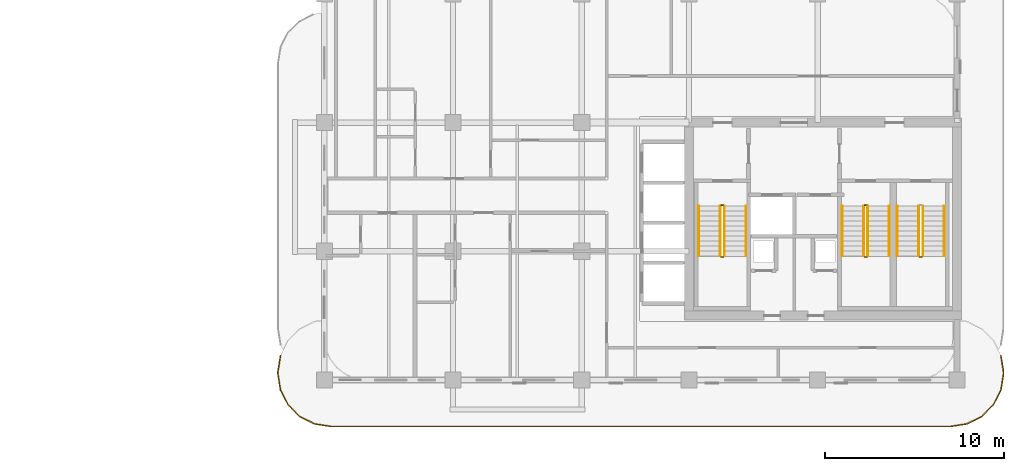
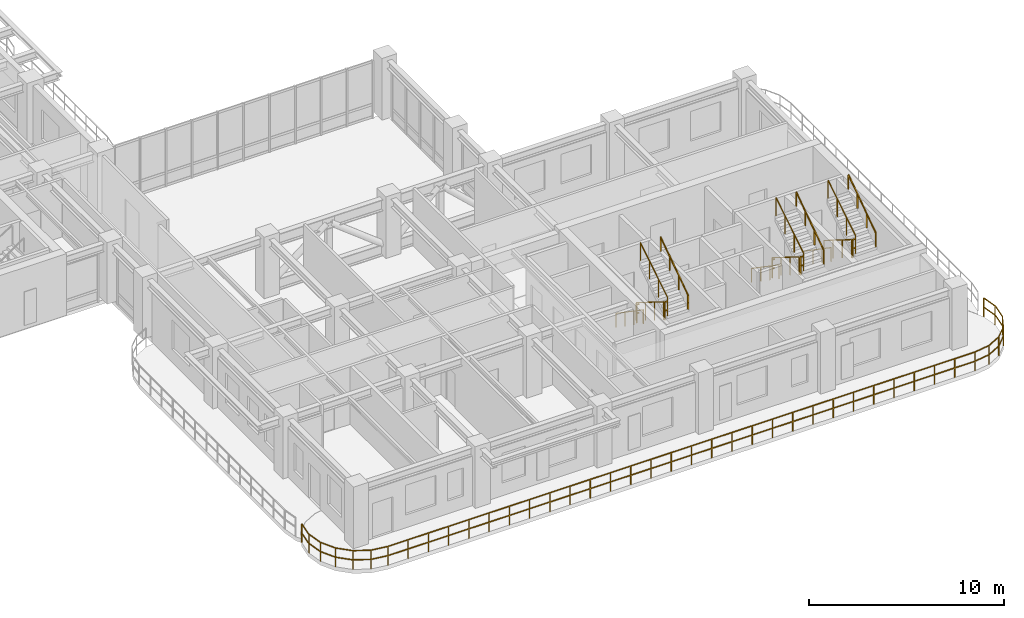
# One storey, part 16 of 19: 18 railings.
"""IFC4 building model written with IfcOpenShell, lengths in metres."""

import ifcopenshell
import ifcopenshell.guid

model = None  # the IFC model being written
_history = None  # IfcOwnerHistory: only IFC2X3 demands one
_inside = {}  # id of a spatial element -> (the spatial element, [elements in it])
_under = {}  # id of a project, library or spatial element -> (it, [spatial elements below it])
_declared = {}  # id of a project -> (the project, [libraries it declares])
_typed = {}  # id of a type object -> (the type object, [elements of that type])
_made_of = {}  # id of a material, layer set ... -> (it, [elements and type objects made of it])


def new_model(schema):
    """Start an empty IFC model of exactly this schema.

    Asked for "IFC4X3", IfcOpenShell would pick the latest addendum, in which some entities
    have other attributes; the version numbers below select the first issue.
    IFC2X3 requires an IfcOwnerHistory on every rooted entity: one is made here for all.
    """
    global model, _history
    if schema == "IFC4X3":
        model = ifcopenshell.file(schema_version=(4, 3, 0, 0))
    else:
        model = ifcopenshell.file(schema=schema)
    _inside.clear()
    _under.clear()
    _declared.clear()
    _typed.clear()
    _made_of.clear()
    _history = None
    if model.schema == "IFC2X3":
        org = make("IfcOrganization", Name="unknown")
        user = make(
            "IfcPersonAndOrganization",
            ThePerson=make("IfcPerson", FamilyName="unknown"),
            TheOrganization=org,
        )
        app = make(
            "IfcApplication",
            ApplicationDeveloper=org,
            Version="unknown",
            ApplicationFullName="unknown",
            ApplicationIdentifier="unknown",
        )
        _history = make(
            "IfcOwnerHistory",
            OwningUser=user,
            OwningApplication=app,
            ChangeAction="ADDED",
            CreationDate=0,
        )
    return model


def make(cls, **values):
    """One entity of the class cls with the attributes given. An attribute that is None is left unset."""
    return model.create_entity(
        cls, **{name: value for name, value in values.items() if value is not None}
    )


def rooted(cls, **values):
    """An entity with a GlobalId (a new one), such as an element, a storey or a relation."""
    return make(cls, GlobalId=ifcopenshell.guid.new(), OwnerHistory=_history, **values)


def si_unit(unit_type, name, prefix=None):
    """IfcSIUnit, for example si_unit("LENGTHUNIT", "METRE", prefix="MILLI")."""
    return make("IfcSIUnit", UnitType=unit_type, Prefix=prefix, Name=name)


def derived_unit(unit_type, elements):
    """IfcDerivedUnit: a product of units, each with its exponent."""
    return make(
        "IfcDerivedUnit",
        Elements=[
            make("IfcDerivedUnitElement", Unit=unit, Exponent=power)
            for unit, power in elements
        ],
        UnitType=unit_type,
    )


def assignment(units):
    """IfcUnitAssignment: the units of a project."""
    return None if units is None else make("IfcUnitAssignment", Units=units)


def point(xyz):
    """IfcCartesianPoint."""
    return None if xyz is None else make("IfcCartesianPoint", Coordinates=xyz)


def direction(xyz):
    """IfcDirection."""
    return None if xyz is None else make("IfcDirection", DirectionRatios=xyz)


def frame(location, z_axis=None, x_axis=None):
    """IfcAxis2Placement3D, a coordinate frame: its origin and axes. An axis left out is left unset."""
    return make(
        "IfcAxis2Placement3D",
        Location=point(location),
        Axis=direction(z_axis),
        RefDirection=direction(x_axis),
    )


def frame_2d(location, x_axis=None):
    """IfcAxis2Placement2D, a coordinate frame in the plane: its origin and x axis."""
    return make(
        "IfcAxis2Placement2D", Location=point(location), RefDirection=direction(x_axis)
    )


def origin():
    """The frame at (0, 0, 0) with its axes left unset."""
    return frame((0.0, 0.0, 0.0))


def origin_2d():
    """The frame at (0, 0) in the plane with its x axis left unset."""
    return frame_2d((0.0, 0.0))


def place(relative_to, where):
    """IfcLocalPlacement: puts the frame where relative to a parent placement (None: the world)."""
    return make(
        "IfcLocalPlacement", PlacementRelTo=relative_to, RelativePlacement=where
    )


def context(
    kind, dimensions, precision=None, world=None, true_north=None, identifier=None
):
    """IfcGeometricRepresentationContext, for example the 3D "Model" context."""
    return make(
        "IfcGeometricRepresentationContext",
        ContextIdentifier=identifier,
        ContextType=kind,
        CoordinateSpaceDimension=dimensions,
        Precision=precision,
        WorldCoordinateSystem=world,
        TrueNorth=true_north,
    )


def subcontext(parent, identifier, kind, view, scale=None):
    """IfcGeometricRepresentationSubContext, for example "Body" below "Model"."""
    return make(
        "IfcGeometricRepresentationSubContext",
        ContextIdentifier=identifier,
        ContextType=kind,
        ParentContext=parent,
        TargetScale=scale,
        TargetView=view,
    )


def project(units=None, contexts=None):
    """IfcProject with its units and contexts."""
    return rooted(
        "IfcProject",
        Name="project",
        RepresentationContexts=contexts,
        UnitsInContext=assignment(units),
    )


def spatial(cls, under=None, at=None, **own):
    """A site, building, storey or space (cls), placed at a placement, below another one or the project."""
    s = rooted(cls, ObjectPlacement=at, **own)
    if under is not None:
        _under.setdefault(under.id(), (under, []))[1].append(s)
    return s


def profile(cls, at=None, kind="AREA", **sizes):
    """A parametric profile (cls). Its sizes go by their IFC names, for example OverallWidth=200.0."""
    return make(cls, ProfileType=kind, Position=at, **sizes)


def rectangle(**sizes):
    """IfcRectangleProfileDef."""
    return profile("IfcRectangleProfileDef", **sizes)


def extrude(swept, where, along, depth):
    """IfcExtrudedAreaSolid: the profile swept, set in the frame where, extruded along a direction by depth."""
    return make(
        "IfcExtrudedAreaSolid",
        SweptArea=swept,
        Position=where,
        ExtrudedDirection=direction(along),
        Depth=depth,
    )


def shape(context_of_items, identifier, shape_type, items):
    """IfcShapeRepresentation: the items that make up one representation, for example the "Body"."""
    return make(
        "IfcShapeRepresentation",
        ContextOfItems=context_of_items,
        RepresentationIdentifier=identifier,
        RepresentationType=shape_type,
        Items=items,
    )


def material(Name=None, Category=None):
    """IfcMaterial."""
    return make("IfcMaterial", Name=Name, Category=Category)


def made_of(thing, what):
    """Note that an element or type object is made of a material, layer set ...; save() writes the relation."""
    if what is not None:
        _made_of.setdefault(what.id(), (what, []))[1].append(thing)
    return thing


def type_object(cls, material=None, **own):
    """A type object (cls), such as IfcWallType, which elements share."""
    return made_of(rooted(cls, **own), material)


def element(
    cls,
    number,
    at=None,
    inside=None,
    cuts=None,
    type_object=None,
    material=None,
    context=None,
    identifier="Body",
    shape_type=None,
    held_by="IfcProductDefinitionShape",
    body=None,
    shapes=None,
    **own,
):
    """One element of the class cls, such as IfcWall. Its Tag is "e" and its number.

    at: its placement. inside: the storey or other place that contains it. cuts: it is an
    opening in that element (IfcRelVoidsElement). A single representation is given by context,
    identifier, shape_type and body (its items); several are given by shapes. held_by: the class
    of the entity that holds the representations. save() writes the other relations.
    """
    e = rooted(cls, Tag="e%d" % number, ObjectPlacement=at, **own)
    if body is not None:
        shapes = [shape(context, identifier, shape_type, body)]
    if shapes is not None:
        e.Representation = make(held_by, Representations=shapes)
    if inside is not None:
        _inside.setdefault(inside.id(), (inside, []))[1].append(e)
    if cuts is not None:
        rooted(
            "IfcRelVoidsElement", RelatingBuildingElement=cuts, RelatedOpeningElement=e
        )
    if type_object is not None:
        _typed.setdefault(type_object.id(), (type_object, []))[1].append(e)
    return made_of(e, material)


def aggregate(whole, parts):
    """IfcRelAggregates: a whole, such as a stair, and the parts it consists of."""
    return rooted("IfcRelAggregates", RelatingObject=whole, RelatedObjects=parts)


def save(model, path):
    """Write the relations noted so far, then the file.

    IfcRelAggregates (storeys below a building ...), IfcRelContainedInSpatialStructure (elements
    in a storey), IfcRelDefinesByType, IfcRelAssociatesMaterial and IfcRelDeclares: one each for
    every whole, place, type object, material and project.
    """
    for whole, parts in _under.values():
        aggregate(whole, parts)
    for where, things in _inside.values():
        rooted(
            "IfcRelContainedInSpatialStructure",
            RelatedElements=things,
            RelatingStructure=where,
        )
    for kind, things in _typed.values():
        rooted("IfcRelDefinesByType", RelatedObjects=things, RelatingType=kind)
    for what, things in _made_of.values():
        rooted("IfcRelAssociatesMaterial", RelatedObjects=things, RelatingMaterial=what)
    for by, libraries in _declared.values():
        rooted("IfcRelDeclares", RelatingContext=by, RelatedDefinitions=libraries)
    model.write(path)


model = new_model("IFC4")

# Units and contexts
model_context = context("Model", 3, precision=1e-05, world=origin(), true_north=direction((0.0, 1.0)))
body_context = subcontext(model_context, "Body", "Model", "MODEL_VIEW")
ifc_project = project(units=[si_unit("LENGTHUNIT", "METRE"), si_unit("AREAUNIT", "SQUARE_METRE"), si_unit("VOLUMEUNIT", "CUBIC_METRE"), si_unit("PLANEANGLEUNIT", "RADIAN"), si_unit("MASSUNIT", "GRAM", prefix="KILO"), si_unit("THERMODYNAMICTEMPERATUREUNIT", "KELVIN"), si_unit("POWERUNIT", "WATT"), derived_unit("THERMALTRANSMITTANCEUNIT", [(si_unit("POWERUNIT", "WATT"), 1), (si_unit("AREAUNIT", "SQUARE_METRE"), -1), (si_unit("THERMODYNAMICTEMPERATUREUNIT", "KELVIN"), -1)])], contexts=[model_context])

# Site, building, storey
site_placement = place(None, origin())
site = spatial("IfcSite", under=ifc_project, at=site_placement, CompositionType="ELEMENT")
building_placement = place(site_placement, origin())
building = spatial("IfcBuilding", under=site, at=building_placement, Name="Zahravan Archway Hotel and Residences", CompositionType="ELEMENT")
storey_placement = place(building_placement, frame((0.0, 0.0, 201.89990234375)))
storey = spatial("IfcBuildingStorey", under=building, at=storey_placement, Name="L50", CompositionType="ELEMENT", Elevation=201.89990234375)

# Railings
ifc_material_1 = material(Name="Bronze & Laminated Glass Balustrade", Category="glass")
railing_type_1 = type_object("IfcRailingType", Name="RL-BAL-1200", PredefinedType="BALUSTRADE", material=ifc_material_1)
railing_1_placement = place(storey_placement, frame((52.255615234375, 1.361572265625, 0.0)))
element("IfcRailing", 1, at=railing_1_placement, inside=storey, type_object=railing_type_1, Name="L50 Balustrade RL-SLB-BAL-L50-SA-1", PredefinedType="BALUSTRADE", context=body_context, shape_type="SweptSolid", body=[
    extrude(rectangle(XDim=0.048095703125, YDim=0.048095703125, at=origin_2d()), frame((0.0, 0.0, 1.17578125), z_axis=(0.156329311416, -0.987704989555, 0.0), x_axis=(0.987704989555, 0.156329311416, 0.0)), (0.0, 0.0, 1.0), 0.9228515625),
    extrude(rectangle(XDim=0.048095703125, YDim=0.048095703125, at=origin_2d()), frame((0.0, 0.0, 0.60009765625), z_axis=(0.156329311416, -0.987704989555, 0.0), x_axis=(0.987704989555, 0.156329311416, 0.0)), (0.0, 0.0, 1.0), 0.9228515625),
    extrude(rectangle(XDim=0.048095703125, YDim=0.048095703125, at=origin_2d()), frame((0.144287109375, -0.91162109375, 1.17578125), z_axis=(0.0, -1.0, 0.0), x_axis=(1.0, 0.0, 0.0)), (0.0, 0.0, 1.0), 0.099853515625),
    extrude(rectangle(XDim=0.048095703125, YDim=0.048095703125, at=origin_2d()), frame((0.144287109375, -0.91162109375, 0.60009765625), z_axis=(0.0, -1.0, 0.0), x_axis=(1.0, 0.0, 0.0)), (0.0, 0.0, 1.0), 0.099853515625),
    extrude(rectangle(XDim=0.048095703125, YDim=0.048095703125, at=origin_2d()), frame((0.144287109375, -1.011474609375, 1.17578125), z_axis=(-0.156329311416, -0.987704989555, 0.0), x_axis=(0.987704989555, -0.156329311416, 0.0)), (0.0, 0.0, 1.0), 0.9228515625),
    extrude(rectangle(XDim=0.048095703125, YDim=0.048095703125, at=origin_2d()), frame((0.144287109375, -1.011474609375, 0.60009765625), z_axis=(-0.156329311416, -0.987704989555, 0.0), x_axis=(0.987704989555, -0.156329311416, 0.0)), (0.0, 0.0, 1.0), 0.9228515625),
    extrude(rectangle(XDim=0.048095703125, YDim=0.048095703125, at=origin_2d()), frame((0.0, -1.923095703125, 1.17578125), z_axis=(-0.453866348456, -0.891069771532, 0.0), x_axis=(0.891069771532, -0.453866348456, 0.0)), (0.0, 0.0, 1.0), 0.923095703125),
    extrude(rectangle(XDim=0.048095703125, YDim=0.048095703125, at=origin_2d()), frame((0.0, -1.923095703125, 0.60009765625), z_axis=(-0.453866348456, -0.891069771532, 0.0), x_axis=(0.891069771532, -0.453866348456, 0.0)), (0.0, 0.0, 1.0), 0.923095703125),
    extrude(rectangle(XDim=0.048095703125, YDim=0.048095703125, at=origin_2d()), frame((-0.4189453125, -2.74560546875, 1.17578125), z_axis=(-0.707106781187, -0.707106781187, 0.0), x_axis=(0.707106781187, -0.707106781187, 0.0)), (0.0, 0.0, 1.0), 0.9228515625),
    extrude(rectangle(XDim=0.048095703125, YDim=0.048095703125, at=origin_2d()), frame((-0.4189453125, -2.74560546875, 0.60009765625), z_axis=(-0.707106781187, -0.707106781187, 0.0), x_axis=(0.707106781187, -0.707106781187, 0.0)), (0.0, 0.0, 1.0), 0.9228515625),
    extrude(rectangle(XDim=0.048095703125, YDim=0.048095703125, at=origin_2d()), frame((-1.071533203125, -3.398193359375, 1.17578125), z_axis=(-0.891069771532, -0.453866348456, 0.0), x_axis=(0.453866348456, -0.891069771532, 0.0)), (0.0, 0.0, 1.0), 0.923095703125),
    extrude(rectangle(XDim=0.048095703125, YDim=0.048095703125, at=origin_2d()), frame((-1.071533203125, -3.398193359375, 0.60009765625), z_axis=(-0.891069771532, -0.453866348456, 0.0), x_axis=(0.453866348456, -0.891069771532, 0.0)), (0.0, 0.0, 1.0), 0.923095703125),
    extrude(rectangle(XDim=0.048095703125, YDim=0.048095703125, at=origin_2d()), frame((-1.89404296875, -3.817138671875, 1.17578125), z_axis=(-0.98766411426, -0.156587347521, 0.0), x_axis=(0.156587347521, -0.98766411426, 0.0)), (0.0, 0.0, 1.0), 0.923095703125),
    extrude(rectangle(XDim=0.048095703125, YDim=0.048095703125, at=origin_2d()), frame((-1.89404296875, -3.817138671875, 0.60009765625), z_axis=(-0.98766411426, -0.156587347521, 0.0), x_axis=(0.156587347521, -0.98766411426, 0.0)), (0.0, 0.0, 1.0), 0.923095703125),
    extrude(rectangle(XDim=0.048095703125, YDim=0.048095703125, at=origin_2d()), frame((-2.8056640625, -3.961669921875, 1.17578125), z_axis=(-1.0, 0.0, 0.0), x_axis=(0.0, -1.0, 0.0)), (0.0, 0.0, 1.0), 34.699951171875),
    extrude(rectangle(XDim=0.048095703125, YDim=0.048095703125, at=origin_2d()), frame((-2.8056640625, -3.961669921875, 0.60009765625), z_axis=(-1.0, 0.0, 0.0), x_axis=(0.0, -1.0, 0.0)), (0.0, 0.0, 1.0), 34.699951171875),
    extrude(rectangle(XDim=0.048095703125, YDim=0.048095703125, at=origin_2d()), frame((-37.505615234375, -3.961669921875, 1.17578125), z_axis=(-0.98766411426, 0.156587347521, 0.0), x_axis=(-0.156587347521, -0.98766411426, 0.0)), (0.0, 0.0, 1.0), 0.923095703125),
    extrude(rectangle(XDim=0.048095703125, YDim=0.048095703125, at=origin_2d()), frame((-37.505615234375, -3.961669921875, 0.60009765625), z_axis=(-0.98766411426, 0.156587347521, 0.0), x_axis=(-0.156587347521, -0.98766411426, 0.0)), (0.0, 0.0, 1.0), 0.923095703125),
    extrude(rectangle(XDim=0.048095703125, YDim=0.048095703125, at=origin_2d()), frame((-38.417236328125, -3.817138671875, 1.17578125), z_axis=(-0.891015268556, 0.453973337542, 0.0), x_axis=(-0.453973337542, -0.891015268556, 0.0)), (0.0, 0.0, 1.0), 0.9228515625),
    extrude(rectangle(XDim=0.048095703125, YDim=0.048095703125, at=origin_2d()), frame((-38.417236328125, -3.817138671875, 0.60009765625), z_axis=(-0.891015268556, 0.453973337542, 0.0), x_axis=(-0.453973337542, -0.891015268556, 0.0)), (0.0, 0.0, 1.0), 0.9228515625),
    extrude(rectangle(XDim=0.048095703125, YDim=0.048095703125, at=origin_2d()), frame((-39.239501953125, -3.398193359375, 1.17578125), z_axis=(-0.707239012465, 0.706974525176, 0.0), x_axis=(-0.706974525176, -0.707239012465, 0.0)), (0.0, 0.0, 1.0), 0.923095703125),
    extrude(rectangle(XDim=0.048095703125, YDim=0.048095703125, at=origin_2d()), frame((-39.239501953125, -3.398193359375, 0.60009765625), z_axis=(-0.707239012465, 0.706974525176, 0.0), x_axis=(-0.706974525176, -0.707239012465, 0.0)), (0.0, 0.0, 1.0), 0.923095703125),
    extrude(rectangle(XDim=0.048095703125, YDim=0.048095703125, at=origin_2d()), frame((-39.892333984375, -2.74560546875, 1.17578125), z_axis=(-0.453866348456, 0.891069771532, 0.0), x_axis=(-0.891069771532, -0.453866348456, 0.0)), (0.0, 0.0, 1.0), 0.923095703125),
    extrude(rectangle(XDim=0.048095703125, YDim=0.048095703125, at=origin_2d()), frame((-39.892333984375, -2.74560546875, 0.60009765625), z_axis=(-0.453866348456, 0.891069771532, 0.0), x_axis=(-0.891069771532, -0.453866348456, 0.0)), (0.0, 0.0, 1.0), 0.923095703125),
    extrude(rectangle(XDim=0.048095703125, YDim=0.048095703125, at=origin_2d()), frame((-40.311279296875, -1.923095703125, 1.17578125), z_axis=(-0.156329311416, 0.987704989555, 0.0), x_axis=(-0.987704989555, -0.156329311416, 0.0)), (0.0, 0.0, 1.0), 0.9228515625),
    extrude(rectangle(XDim=0.048095703125, YDim=0.048095703125, at=origin_2d()), frame((-40.311279296875, -1.923095703125, 0.60009765625), z_axis=(-0.156329311416, 0.987704989555, 0.0), x_axis=(-0.987704989555, -0.156329311416, 0.0)), (0.0, 0.0, 1.0), 0.9228515625),
    extrude(rectangle(XDim=0.048095703125, YDim=0.048095703125, at=origin_2d()), frame((-40.45556640625, -1.011474609375, 1.17578125), z_axis=(0.0, 1.0, 0.0), x_axis=(-1.0, 0.0, 0.0)), (0.0, 0.0, 1.0), 0.099853515625),
    extrude(rectangle(XDim=0.048095703125, YDim=0.048095703125, at=origin_2d()), frame((-40.45556640625, -1.011474609375, 0.60009765625), z_axis=(0.0, 1.0, 0.0), x_axis=(-1.0, 0.0, 0.0)), (0.0, 0.0, 1.0), 0.099853515625),
    extrude(rectangle(XDim=0.048095703125, YDim=0.048095703125, at=origin_2d()), frame((-40.45556640625, -0.91162109375, 1.17578125), z_axis=(0.156329311416, 0.987704989555, 0.0), x_axis=(-0.987704989555, 0.156329311416, 0.0)), (0.0, 0.0, 1.0), 0.9228515625),
    extrude(rectangle(XDim=0.048095703125, YDim=0.048095703125, at=origin_2d()), frame((-40.45556640625, -0.91162109375, 0.60009765625), z_axis=(0.156329311416, 0.987704989555, 0.0), x_axis=(-0.987704989555, 0.156329311416, 0.0)), (0.0, 0.0, 1.0), 0.9228515625),
    extrude(rectangle(XDim=0.0419921875, YDim=0.0419921875, at=origin_2d()), origin(), (0.0, 0.0, 1.0), 1.15185546875),
    extrude(rectangle(XDim=0.0419921875, YDim=0.0419921875, at=origin_2d()), frame((0.144287109375, -0.91162109375, 0.0)), (0.0, 0.0, 1.0), 1.15185546875),
    extrude(rectangle(XDim=0.0419921875, YDim=0.0419921875, at=origin_2d()), frame((0.0, -1.923095703125, 0.0)), (0.0, 0.0, 1.0), 1.15185546875),
    extrude(rectangle(XDim=0.0419921875, YDim=0.0419921875, at=origin_2d()), frame((-0.4189453125, -2.74560546875, 0.0)), (0.0, 0.0, 1.0), 1.15185546875),
    extrude(rectangle(XDim=0.0419921875, YDim=0.0419921875, at=origin_2d()), frame((-1.071533203125, -3.398193359375, 0.0)), (0.0, 0.0, 1.0), 1.15185546875),
    extrude(rectangle(XDim=0.0419921875, YDim=0.0419921875, at=origin_2d()), frame((-1.89404296875, -3.817138671875, 0.0)), (0.0, 0.0, 1.0), 1.15185546875),
    extrude(rectangle(XDim=0.0419921875, YDim=0.0419921875, at=origin_2d()), frame((-2.8056640625, -3.961669921875, 0.0)), (0.0, 0.0, 1.0), 1.15185546875),
    extrude(rectangle(XDim=0.0419921875, YDim=0.0419921875, at=origin_2d()), frame((-4.002197265625, -3.961669921875, 0.0)), (0.0, 0.0, 1.0), 1.15185546875),
    extrude(rectangle(XDim=0.0419921875, YDim=0.0419921875, at=origin_2d()), frame((-5.19873046875, -3.961669921875, 0.0)), (0.0, 0.0, 1.0), 1.15185546875),
    extrude(rectangle(XDim=0.0419921875, YDim=0.0419921875, at=origin_2d()), frame((-6.395263671875, -3.961669921875, 0.0)), (0.0, 0.0, 1.0), 1.15185546875),
    extrude(rectangle(XDim=0.0419921875, YDim=0.0419921875, at=origin_2d()), frame((-7.591796875, -3.961669921875, 0.0)), (0.0, 0.0, 1.0), 1.15185546875),
    extrude(rectangle(XDim=0.0419921875, YDim=0.0419921875, at=origin_2d()), frame((-8.788330078125, -3.961669921875, 0.0)), (0.0, 0.0, 1.0), 1.15185546875),
    extrude(rectangle(XDim=0.0419921875, YDim=0.0419921875, at=origin_2d()), frame((-9.98486328125, -3.961669921875, 0.0)), (0.0, 0.0, 1.0), 1.15185546875),
    extrude(rectangle(XDim=0.0419921875, YDim=0.0419921875, at=origin_2d()), frame((-11.181396484375, -3.961669921875, 0.0)), (0.0, 0.0, 1.0), 1.15185546875),
    extrude(rectangle(XDim=0.0419921875, YDim=0.0419921875, at=origin_2d()), frame((-12.378173828125, -3.961669921875, 0.0)), (0.0, 0.0, 1.0), 1.15185546875),
    extrude(rectangle(XDim=0.0419921875, YDim=0.0419921875, at=origin_2d()), frame((-13.57470703125, -3.961669921875, 0.0)), (0.0, 0.0, 1.0), 1.15185546875),
    extrude(rectangle(XDim=0.0419921875, YDim=0.0419921875, at=origin_2d()), frame((-14.771240234375, -3.961669921875, 0.0)), (0.0, 0.0, 1.0), 1.15185546875),
    extrude(rectangle(XDim=0.0419921875, YDim=0.0419921875, at=origin_2d()), frame((-15.9677734375, -3.961669921875, 0.0)), (0.0, 0.0, 1.0), 1.15185546875),
    extrude(rectangle(XDim=0.0419921875, YDim=0.0419921875, at=origin_2d()), frame((-17.164306640625, -3.961669921875, 0.0)), (0.0, 0.0, 1.0), 1.15185546875),
    extrude(rectangle(XDim=0.0419921875, YDim=0.0419921875, at=origin_2d()), frame((-18.36083984375, -3.961669921875, 0.0)), (0.0, 0.0, 1.0), 1.15185546875),
    extrude(rectangle(XDim=0.0419921875, YDim=0.0419921875, at=origin_2d()), frame((-19.557373046875, -3.961669921875, 0.0)), (0.0, 0.0, 1.0), 1.15185546875),
    extrude(rectangle(XDim=0.0419921875, YDim=0.0419921875, at=origin_2d()), frame((-20.75390625, -3.961669921875, 0.0)), (0.0, 0.0, 1.0), 1.15185546875),
    extrude(rectangle(XDim=0.0419921875, YDim=0.0419921875, at=origin_2d()), frame((-21.950439453125, -3.961669921875, 0.0)), (0.0, 0.0, 1.0), 1.15185546875),
    extrude(rectangle(XDim=0.0419921875, YDim=0.0419921875, at=origin_2d()), frame((-23.14697265625, -3.961669921875, 0.0)), (0.0, 0.0, 1.0), 1.15185546875),
    extrude(rectangle(XDim=0.0419921875, YDim=0.0419921875, at=origin_2d()), frame((-24.343505859375, -3.961669921875, 0.0)), (0.0, 0.0, 1.0), 1.15185546875),
    extrude(rectangle(XDim=0.0419921875, YDim=0.0419921875, at=origin_2d()), frame((-25.5400390625, -3.961669921875, 0.0)), (0.0, 0.0, 1.0), 1.15185546875),
    extrude(rectangle(XDim=0.0419921875, YDim=0.0419921875, at=origin_2d()), frame((-26.736572265625, -3.961669921875, 0.0)), (0.0, 0.0, 1.0), 1.15185546875),
    extrude(rectangle(XDim=0.0419921875, YDim=0.0419921875, at=origin_2d()), frame((-27.93310546875, -3.961669921875, 0.0)), (0.0, 0.0, 1.0), 1.15185546875),
    extrude(rectangle(XDim=0.0419921875, YDim=0.0419921875, at=origin_2d()), frame((-29.1298828125, -3.961669921875, 0.0)), (0.0, 0.0, 1.0), 1.15185546875),
    extrude(rectangle(XDim=0.0419921875, YDim=0.0419921875, at=origin_2d()), frame((-30.326416015625, -3.961669921875, 0.0)), (0.0, 0.0, 1.0), 1.15185546875),
    extrude(rectangle(XDim=0.0419921875, YDim=0.0419921875, at=origin_2d()), frame((-31.52294921875, -3.961669921875, 0.0)), (0.0, 0.0, 1.0), 1.15185546875),
    extrude(rectangle(XDim=0.0419921875, YDim=0.0419921875, at=origin_2d()), frame((-32.719482421875, -3.961669921875, 0.0)), (0.0, 0.0, 1.0), 1.15185546875),
    extrude(rectangle(XDim=0.0419921875, YDim=0.0419921875, at=origin_2d()), frame((-33.916015625, -3.961669921875, 0.0)), (0.0, 0.0, 1.0), 1.15185546875),
    extrude(rectangle(XDim=0.0419921875, YDim=0.0419921875, at=origin_2d()), frame((-35.112548828125, -3.961669921875, 0.0)), (0.0, 0.0, 1.0), 1.15185546875),
    extrude(rectangle(XDim=0.0419921875, YDim=0.0419921875, at=origin_2d()), frame((-36.30908203125, -3.961669921875, 0.0)), (0.0, 0.0, 1.0), 1.15185546875),
    extrude(rectangle(XDim=0.0419921875, YDim=0.0419921875, at=origin_2d()), frame((-37.505615234375, -3.961669921875, 0.0)), (0.0, 0.0, 1.0), 1.15185546875),
    extrude(rectangle(XDim=0.0419921875, YDim=0.0419921875, at=origin_2d()), frame((-38.417236328125, -3.817138671875, 0.0)), (0.0, 0.0, 1.0), 1.15185546875),
    extrude(rectangle(XDim=0.0419921875, YDim=0.0419921875, at=origin_2d()), frame((-39.239501953125, -3.398193359375, 0.0)), (0.0, 0.0, 1.0), 1.15185546875),
    extrude(rectangle(XDim=0.0419921875, YDim=0.0419921875, at=origin_2d()), frame((-39.892333984375, -2.74560546875, 0.0)), (0.0, 0.0, 1.0), 1.15185546875),
    extrude(rectangle(XDim=0.0419921875, YDim=0.0419921875, at=origin_2d()), frame((-40.311279296875, -1.923095703125, 0.0)), (0.0, 0.0, 1.0), 1.15185546875),
    extrude(rectangle(XDim=0.0419921875, YDim=0.0419921875, at=origin_2d()), frame((-40.45556640625, -1.011474609375, 0.0)), (0.0, 0.0, 1.0), 1.15185546875),
    extrude(rectangle(XDim=0.0419921875, YDim=0.0419921875, at=origin_2d()), frame((-40.311279296875, 0.0, 0.0)), (0.0, 0.0, 1.0), 1.15185546875),
])
ifc_material_2 = material(Name="Painted Tubular Steel", Category="steel")
railing_type_2 = type_object("IfcRailingType", Name="RL-STG-1150", PredefinedType="GUARDRAIL", material=ifc_material_2)
railing_2_placement = place(storey_placement, frame((36.550048828125, 9.72998046875, 0.175048828125)))
element("IfcRailing", 2, at=railing_2_placement, inside=storey, type_object=railing_type_2, Name="L50 ST-A1 stair guard 1", PredefinedType="GUARDRAIL", context=body_context, shape_type="SweptSolid", body=[
    extrude(rectangle(XDim=0.048095703125, YDim=0.048095703125, at=origin_2d()), frame((0.0, 0.0, 1.1259765625), z_axis=(0.0, -0.848002457836, 0.529992293815), x_axis=(1.0, 0.0, 0.0)), (0.0, 0.0, 1.0), 3.302001953125),
    extrude(rectangle(XDim=0.0419921875, YDim=0.0419921875, at=origin_2d()), origin(), (0.0, 0.0, 1.0), 1.101806640625),
    extrude(rectangle(XDim=0.0419921875, YDim=0.0419921875, at=origin_2d()), frame((0.0, -0.933349609375, 0.583251953125)), (0.0, 0.0, 1.0), 1.101806640625),
    extrude(rectangle(XDim=0.0419921875, YDim=0.0419921875, at=origin_2d()), frame((0.0, -1.86669921875, 1.166748046875)), (0.0, 0.0, 1.0), 1.101806640625),
    extrude(rectangle(XDim=0.0419921875, YDim=0.0419921875, at=origin_2d()), frame((0.0, -2.800048828125, 1.75)), (0.0, 0.0, 1.0), 1.101806640625),
])
railing_3_placement = place(storey_placement, frame((36.60009765625, 6.8798828125, 1.925048828125)))
element("IfcRailing", 3, at=railing_3_placement, inside=storey, type_object=railing_type_2, Name="L50 ST-A1 stair guard 2", PredefinedType="GUARDRAIL", context=body_context, shape_type="SweptSolid", body=[
    extrude(rectangle(XDim=0.048095703125, YDim=0.048095703125, at=origin_2d()), frame((0.0, 0.0, 1.1259765625), z_axis=(1.0, 0.0, 0.0), x_axis=(0.0, 1.0, 0.0)), (0.0, 0.0, 1.0), 0.139892578125),
    extrude(rectangle(XDim=0.048095703125, YDim=0.048095703125, at=origin_2d()), frame((0.0, 0.0, 0.574951171875), z_axis=(1.0, 0.0, 0.0), x_axis=(0.0, 1.0, 0.0)), (0.0, 0.0, 1.0), 0.139892578125),
    extrude(rectangle(XDim=0.0419921875, YDim=0.0419921875, at=origin_2d()), origin(), (0.0, 0.0, 1.0), 1.101806640625),
])
railing_4_placement = place(storey_placement, frame((36.7900390625, 6.929931640625, 2.10009765625)))
element("IfcRailing", 4, at=railing_4_placement, inside=storey, type_object=railing_type_2, Name="L50 ST-A1 stair guard 3", PredefinedType="GUARDRAIL", context=body_context, shape_type="SweptSolid", body=[
    extrude(rectangle(XDim=0.048095703125, YDim=0.048095703125, at=origin_2d()), frame((0.0, 0.0, 1.1259765625), z_axis=(0.0, 0.848002457836, 0.529992293815), x_axis=(-1.0, 0.0, 0.0)), (0.0, 0.0, 1.0), 3.302001953125),
    extrude(rectangle(XDim=0.0419921875, YDim=0.0419921875, at=origin_2d()), origin(), (0.0, 0.0, 1.0), 1.101806640625),
    extrude(rectangle(XDim=0.0419921875, YDim=0.0419921875, at=origin_2d()), frame((0.0, 0.933349609375, 0.583251953125)), (0.0, 0.0, 1.0), 1.101806640625),
    extrude(rectangle(XDim=0.0419921875, YDim=0.0419921875, at=origin_2d()), frame((0.0, 1.86669921875, 1.166748046875)), (0.0, 0.0, 1.0), 1.101806640625),
    extrude(rectangle(XDim=0.0419921875, YDim=0.0419921875, at=origin_2d()), frame((0.0, 2.800048828125, 1.75)), (0.0, 0.0, 1.0), 1.101806640625),
])
railing_5_placement = place(storey_placement, frame((36.60009765625, 9.780029296875, 0.0)))
element("IfcRailing", 5, at=railing_5_placement, inside=storey, type_object=railing_type_2, Name="L50 ST-A1 stair guard 4", PredefinedType="GUARDRAIL", context=body_context, shape_type="SweptSolid", body=[
    extrude(rectangle(XDim=0.048095703125, YDim=0.048095703125, at=origin_2d()), frame((0.0, 0.0, 1.1259765625), z_axis=(1.0, 0.0, 0.0), x_axis=(0.0, 1.0, 0.0)), (0.0, 0.0, 1.0), 0.139892578125),
    extrude(rectangle(XDim=0.048095703125, YDim=0.048095703125, at=origin_2d()), frame((0.0, 0.0, 0.574951171875), z_axis=(1.0, 0.0, 0.0), x_axis=(0.0, 1.0, 0.0)), (0.0, 0.0, 1.0), 0.139892578125),
    extrude(rectangle(XDim=0.0419921875, YDim=0.0419921875, at=origin_2d()), origin(), (0.0, 0.0, 1.0), 1.101806640625),
])
railing_6_placement = place(storey_placement, frame((44.570068359375, 9.72998046875, 0.175048828125)))
element("IfcRailing", 6, at=railing_6_placement, inside=storey, type_object=railing_type_2, Name="L50 ST-A2 stair guard 1", PredefinedType="GUARDRAIL", context=body_context, shape_type="SweptSolid", body=[
    extrude(rectangle(XDim=0.048095703125, YDim=0.048095703125, at=origin_2d()), frame((0.0, 0.0, 1.1259765625), z_axis=(0.0, -0.848002457836, 0.529992293815), x_axis=(1.0, 0.0, 0.0)), (0.0, 0.0, 1.0), 3.302001953125),
    extrude(rectangle(XDim=0.0419921875, YDim=0.0419921875, at=origin_2d()), origin(), (0.0, 0.0, 1.0), 1.101806640625),
    extrude(rectangle(XDim=0.0419921875, YDim=0.0419921875, at=origin_2d()), frame((0.0, -0.933349609375, 0.583251953125)), (0.0, 0.0, 1.0), 1.101806640625),
    extrude(rectangle(XDim=0.0419921875, YDim=0.0419921875, at=origin_2d()), frame((0.0, -1.86669921875, 1.166748046875)), (0.0, 0.0, 1.0), 1.101806640625),
    extrude(rectangle(XDim=0.0419921875, YDim=0.0419921875, at=origin_2d()), frame((0.0, -2.800048828125, 1.75)), (0.0, 0.0, 1.0), 1.101806640625),
])
railing_7_placement = place(storey_placement, frame((44.6201171875, 6.8798828125, 1.925048828125)))
element("IfcRailing", 7, at=railing_7_placement, inside=storey, type_object=railing_type_2, Name="L50 ST-A2 stair guard 2", PredefinedType="GUARDRAIL", context=body_context, shape_type="SweptSolid", body=[
    extrude(rectangle(XDim=0.048095703125, YDim=0.048095703125, at=origin_2d()), frame((0.0, 0.0, 1.1259765625), z_axis=(1.0, 0.0, 0.0), x_axis=(0.0, 1.0, 0.0)), (0.0, 0.0, 1.0), 0.139892578125),
    extrude(rectangle(XDim=0.048095703125, YDim=0.048095703125, at=origin_2d()), frame((0.0, 0.0, 0.574951171875), z_axis=(1.0, 0.0, 0.0), x_axis=(0.0, 1.0, 0.0)), (0.0, 0.0, 1.0), 0.139892578125),
    extrude(rectangle(XDim=0.0419921875, YDim=0.0419921875, at=origin_2d()), origin(), (0.0, 0.0, 1.0), 1.101806640625),
])
railing_8_placement = place(storey_placement, frame((44.81005859375, 6.929931640625, 2.10009765625)))
element("IfcRailing", 8, at=railing_8_placement, inside=storey, type_object=railing_type_2, Name="L50 ST-A2 stair guard 3", PredefinedType="GUARDRAIL", context=body_context, shape_type="SweptSolid", body=[
    extrude(rectangle(XDim=0.048095703125, YDim=0.048095703125, at=origin_2d()), frame((0.0, 0.0, 1.1259765625), z_axis=(0.0, 0.848002457836, 0.529992293815), x_axis=(-1.0, 0.0, 0.0)), (0.0, 0.0, 1.0), 3.302001953125),
    extrude(rectangle(XDim=0.0419921875, YDim=0.0419921875, at=origin_2d()), origin(), (0.0, 0.0, 1.0), 1.101806640625),
    extrude(rectangle(XDim=0.0419921875, YDim=0.0419921875, at=origin_2d()), frame((0.0, 0.933349609375, 0.583251953125)), (0.0, 0.0, 1.0), 1.101806640625),
    extrude(rectangle(XDim=0.0419921875, YDim=0.0419921875, at=origin_2d()), frame((0.0, 1.86669921875, 1.166748046875)), (0.0, 0.0, 1.0), 1.101806640625),
    extrude(rectangle(XDim=0.0419921875, YDim=0.0419921875, at=origin_2d()), frame((0.0, 2.800048828125, 1.75)), (0.0, 0.0, 1.0), 1.101806640625),
])
railing_9_placement = place(storey_placement, frame((44.6201171875, 9.780029296875, 0.0)))
element("IfcRailing", 9, at=railing_9_placement, inside=storey, type_object=railing_type_2, Name="L50 ST-A2 stair guard 4", PredefinedType="GUARDRAIL", context=body_context, shape_type="SweptSolid", body=[
    extrude(rectangle(XDim=0.048095703125, YDim=0.048095703125, at=origin_2d()), frame((0.0, 0.0, 1.1259765625), z_axis=(1.0, 0.0, 0.0), x_axis=(0.0, 1.0, 0.0)), (0.0, 0.0, 1.0), 0.139892578125),
    extrude(rectangle(XDim=0.048095703125, YDim=0.048095703125, at=origin_2d()), frame((0.0, 0.0, 0.574951171875), z_axis=(1.0, 0.0, 0.0), x_axis=(0.0, 1.0, 0.0)), (0.0, 0.0, 1.0), 0.139892578125),
    extrude(rectangle(XDim=0.0419921875, YDim=0.0419921875, at=origin_2d()), origin(), (0.0, 0.0, 1.0), 1.101806640625),
])
railing_10_placement = place(storey_placement, frame((47.64990234375, 9.72998046875, 0.175048828125)))
element("IfcRailing", 10, at=railing_10_placement, inside=storey, type_object=railing_type_2, Name="L50 ST-A3 stair guard 1", PredefinedType="GUARDRAIL", context=body_context, shape_type="SweptSolid", body=[
    extrude(rectangle(XDim=0.048095703125, YDim=0.048095703125, at=origin_2d()), frame((0.0, 0.0, 1.1259765625), z_axis=(0.0, -0.848002457836, 0.529992293815), x_axis=(1.0, 0.0, 0.0)), (0.0, 0.0, 1.0), 3.302001953125),
    extrude(rectangle(XDim=0.0419921875, YDim=0.0419921875, at=origin_2d()), origin(), (0.0, 0.0, 1.0), 1.101806640625),
    extrude(rectangle(XDim=0.0419921875, YDim=0.0419921875, at=origin_2d()), frame((0.0, -0.933349609375, 0.583251953125)), (0.0, 0.0, 1.0), 1.101806640625),
    extrude(rectangle(XDim=0.0419921875, YDim=0.0419921875, at=origin_2d()), frame((0.0, -1.86669921875, 1.166748046875)), (0.0, 0.0, 1.0), 1.101806640625),
    extrude(rectangle(XDim=0.0419921875, YDim=0.0419921875, at=origin_2d()), frame((0.0, -2.800048828125, 1.75)), (0.0, 0.0, 1.0), 1.101806640625),
])
railing_11_placement = place(storey_placement, frame((47.699951171875, 6.8798828125, 1.925048828125)))
element("IfcRailing", 11, at=railing_11_placement, inside=storey, type_object=railing_type_2, Name="L50 ST-A3 stair guard 2", PredefinedType="GUARDRAIL", context=body_context, shape_type="SweptSolid", body=[
    extrude(rectangle(XDim=0.048095703125, YDim=0.048095703125, at=origin_2d()), frame((0.0, 0.0, 1.1259765625), z_axis=(1.0, 0.0, 0.0), x_axis=(0.0, 1.0, 0.0)), (0.0, 0.0, 1.0), 0.14013671875),
    extrude(rectangle(XDim=0.048095703125, YDim=0.048095703125, at=origin_2d()), frame((0.0, 0.0, 0.574951171875), z_axis=(1.0, 0.0, 0.0), x_axis=(0.0, 1.0, 0.0)), (0.0, 0.0, 1.0), 0.14013671875),
    extrude(rectangle(XDim=0.0419921875, YDim=0.0419921875, at=origin_2d()), origin(), (0.0, 0.0, 1.0), 1.101806640625),
])
railing_12_placement = place(storey_placement, frame((47.889892578125, 6.929931640625, 2.10009765625)))
element("IfcRailing", 12, at=railing_12_placement, inside=storey, type_object=railing_type_2, Name="L50 ST-A3 stair guard 3", PredefinedType="GUARDRAIL", context=body_context, shape_type="SweptSolid", body=[
    extrude(rectangle(XDim=0.048095703125, YDim=0.048095703125, at=origin_2d()), frame((0.0, 0.0, 1.1259765625), z_axis=(0.0, 0.848002457836, 0.529992293815), x_axis=(-1.0, 0.0, 0.0)), (0.0, 0.0, 1.0), 3.302001953125),
    extrude(rectangle(XDim=0.0419921875, YDim=0.0419921875, at=origin_2d()), origin(), (0.0, 0.0, 1.0), 1.101806640625),
    extrude(rectangle(XDim=0.0419921875, YDim=0.0419921875, at=origin_2d()), frame((0.0, 0.933349609375, 0.583251953125)), (0.0, 0.0, 1.0), 1.101806640625),
    extrude(rectangle(XDim=0.0419921875, YDim=0.0419921875, at=origin_2d()), frame((0.0, 1.86669921875, 1.166748046875)), (0.0, 0.0, 1.0), 1.101806640625),
    extrude(rectangle(XDim=0.0419921875, YDim=0.0419921875, at=origin_2d()), frame((0.0, 2.800048828125, 1.75)), (0.0, 0.0, 1.0), 1.101806640625),
])
ifc_material_3 = material(Name="Brushed Stainless Steel", Category="steel")
railing_type_3 = type_object("IfcRailingType", Name="RL-STH-900", PredefinedType="HANDRAIL", material=ifc_material_3)
railing_13_placement = place(storey_placement, frame((35.35009765625, 9.72998046875, 0.175048828125)))
element("IfcRailing", 13, at=railing_13_placement, inside=storey, type_object=railing_type_3, Name="L50 ST-A1 stair handrail 1", PredefinedType="HANDRAIL", context=body_context, shape_type="SweptSolid", body=[
    extrude(rectangle(XDim=0.048095703125, YDim=0.048095703125, at=origin_2d()), frame((0.0, 0.0, 0.8759765625), z_axis=(0.0, -0.824039827795, 0.566531872191), x_axis=(1.0, 0.0, 0.0)), (0.0, 0.0, 1.0), 3.39794921875),
    extrude(rectangle(XDim=0.0419921875, YDim=0.0419921875, at=origin_2d()), origin(), (0.0, 0.0, 1.0), 0.851806640625),
    extrude(rectangle(XDim=0.0419921875, YDim=0.0419921875, at=origin_2d()), frame((0.0, -0.933349609375, 0.6416015625)), (0.0, 0.0, 1.0), 0.851806640625),
    extrude(rectangle(XDim=0.0419921875, YDim=0.0419921875, at=origin_2d()), frame((0.0, -1.86669921875, 1.283447265625)), (0.0, 0.0, 1.0), 0.851806640625),
    extrude(rectangle(XDim=0.0419921875, YDim=0.0419921875, at=origin_2d()), frame((0.0, -2.800048828125, 1.925048828125)), (0.0, 0.0, 1.0), 0.851806640625),
])
railing_14_placement = place(storey_placement, frame((37.989990234375, 6.929931640625, 2.10009765625)))
element("IfcRailing", 14, at=railing_14_placement, inside=storey, type_object=railing_type_3, Name="L50 ST-A1 stair handrail 2", PredefinedType="HANDRAIL", context=body_context, shape_type="SweptSolid", body=[
    extrude(rectangle(XDim=0.048095703125, YDim=0.048095703125, at=origin_2d()), frame((0.0, 0.0, 0.8759765625), z_axis=(0.0, 0.824039827795, 0.566531872191), x_axis=(-1.0, 0.0, 0.0)), (0.0, 0.0, 1.0), 3.39794921875),
    extrude(rectangle(XDim=0.0419921875, YDim=0.0419921875, at=origin_2d()), origin(), (0.0, 0.0, 1.0), 0.851806640625),
    extrude(rectangle(XDim=0.0419921875, YDim=0.0419921875, at=origin_2d()), frame((0.0, 0.933349609375, 0.6416015625)), (0.0, 0.0, 1.0), 0.851806640625),
    extrude(rectangle(XDim=0.0419921875, YDim=0.0419921875, at=origin_2d()), frame((0.0, 1.86669921875, 1.283447265625)), (0.0, 0.0, 1.0), 0.851806640625),
    extrude(rectangle(XDim=0.0419921875, YDim=0.0419921875, at=origin_2d()), frame((0.0, 2.800048828125, 1.925048828125)), (0.0, 0.0, 1.0), 0.851806640625),
])
railing_15_placement = place(storey_placement, frame((43.3701171875, 9.72998046875, 0.175048828125)))
element("IfcRailing", 15, at=railing_15_placement, inside=storey, type_object=railing_type_3, Name="L50 ST-A2 stair handrail 1", PredefinedType="HANDRAIL", context=body_context, shape_type="SweptSolid", body=[
    extrude(rectangle(XDim=0.048095703125, YDim=0.048095703125, at=origin_2d()), frame((0.0, 0.0, 0.8759765625), z_axis=(0.0, -0.824039827795, 0.566531872191), x_axis=(1.0, 0.0, 0.0)), (0.0, 0.0, 1.0), 3.39794921875),
    extrude(rectangle(XDim=0.0419921875, YDim=0.0419921875, at=origin_2d()), origin(), (0.0, 0.0, 1.0), 0.851806640625),
    extrude(rectangle(XDim=0.0419921875, YDim=0.0419921875, at=origin_2d()), frame((0.0, -0.933349609375, 0.6416015625)), (0.0, 0.0, 1.0), 0.851806640625),
    extrude(rectangle(XDim=0.0419921875, YDim=0.0419921875, at=origin_2d()), frame((0.0, -1.86669921875, 1.283447265625)), (0.0, 0.0, 1.0), 0.851806640625),
    extrude(rectangle(XDim=0.0419921875, YDim=0.0419921875, at=origin_2d()), frame((0.0, -2.800048828125, 1.925048828125)), (0.0, 0.0, 1.0), 0.851806640625),
])
railing_16_placement = place(storey_placement, frame((46.010009765625, 6.929931640625, 2.10009765625)))
element("IfcRailing", 16, at=railing_16_placement, inside=storey, type_object=railing_type_3, Name="L50 ST-A2 stair handrail 2", PredefinedType="HANDRAIL", context=body_context, shape_type="SweptSolid", body=[
    extrude(rectangle(XDim=0.048095703125, YDim=0.048095703125, at=origin_2d()), frame((0.0, 0.0, 0.8759765625), z_axis=(0.0, 0.824039827795, 0.566531872191), x_axis=(-1.0, 0.0, 0.0)), (0.0, 0.0, 1.0), 3.39794921875),
    extrude(rectangle(XDim=0.0419921875, YDim=0.0419921875, at=origin_2d()), origin(), (0.0, 0.0, 1.0), 0.851806640625),
    extrude(rectangle(XDim=0.0419921875, YDim=0.0419921875, at=origin_2d()), frame((0.0, 0.933349609375, 0.6416015625)), (0.0, 0.0, 1.0), 0.851806640625),
    extrude(rectangle(XDim=0.0419921875, YDim=0.0419921875, at=origin_2d()), frame((0.0, 1.86669921875, 1.283447265625)), (0.0, 0.0, 1.0), 0.851806640625),
    extrude(rectangle(XDim=0.0419921875, YDim=0.0419921875, at=origin_2d()), frame((0.0, 2.800048828125, 1.925048828125)), (0.0, 0.0, 1.0), 0.851806640625),
])
railing_17_placement = place(storey_placement, frame((46.449951171875, 9.72998046875, 0.175048828125)))
element("IfcRailing", 17, at=railing_17_placement, inside=storey, type_object=railing_type_3, Name="L50 ST-A3 stair handrail 1", PredefinedType="HANDRAIL", context=body_context, shape_type="SweptSolid", body=[
    extrude(rectangle(XDim=0.048095703125, YDim=0.048095703125, at=origin_2d()), frame((0.0, 0.0, 0.8759765625), z_axis=(0.0, -0.824039827795, 0.566531872191), x_axis=(1.0, 0.0, 0.0)), (0.0, 0.0, 1.0), 3.39794921875),
    extrude(rectangle(XDim=0.0419921875, YDim=0.0419921875, at=origin_2d()), origin(), (0.0, 0.0, 1.0), 0.851806640625),
    extrude(rectangle(XDim=0.0419921875, YDim=0.0419921875, at=origin_2d()), frame((0.0, -0.933349609375, 0.6416015625)), (0.0, 0.0, 1.0), 0.851806640625),
    extrude(rectangle(XDim=0.0419921875, YDim=0.0419921875, at=origin_2d()), frame((0.0, -1.86669921875, 1.283447265625)), (0.0, 0.0, 1.0), 0.851806640625),
    extrude(rectangle(XDim=0.0419921875, YDim=0.0419921875, at=origin_2d()), frame((0.0, -2.800048828125, 1.925048828125)), (0.0, 0.0, 1.0), 0.851806640625),
])
railing_18_placement = place(storey_placement, frame((49.090087890625, 6.929931640625, 2.10009765625)))
element("IfcRailing", 18, at=railing_18_placement, inside=storey, type_object=railing_type_3, Name="L50 ST-A3 stair handrail 2", PredefinedType="HANDRAIL", context=body_context, shape_type="SweptSolid", body=[
    extrude(rectangle(XDim=0.048095703125, YDim=0.048095703125, at=origin_2d()), frame((0.0, 0.0, 0.8759765625), z_axis=(0.0, 0.824039827795, 0.566531872191), x_axis=(-1.0, 0.0, 0.0)), (0.0, 0.0, 1.0), 3.39794921875),
    extrude(rectangle(XDim=0.0419921875, YDim=0.0419921875, at=origin_2d()), origin(), (0.0, 0.0, 1.0), 0.851806640625),
    extrude(rectangle(XDim=0.0419921875, YDim=0.0419921875, at=origin_2d()), frame((0.0, 0.933349609375, 0.6416015625)), (0.0, 0.0, 1.0), 0.851806640625),
    extrude(rectangle(XDim=0.0419921875, YDim=0.0419921875, at=origin_2d()), frame((0.0, 1.86669921875, 1.283447265625)), (0.0, 0.0, 1.0), 0.851806640625),
    extrude(rectangle(XDim=0.0419921875, YDim=0.0419921875, at=origin_2d()), frame((0.0, 2.800048828125, 1.925048828125)), (0.0, 0.0, 1.0), 0.851806640625),
])

save(model, "model.ifc")
